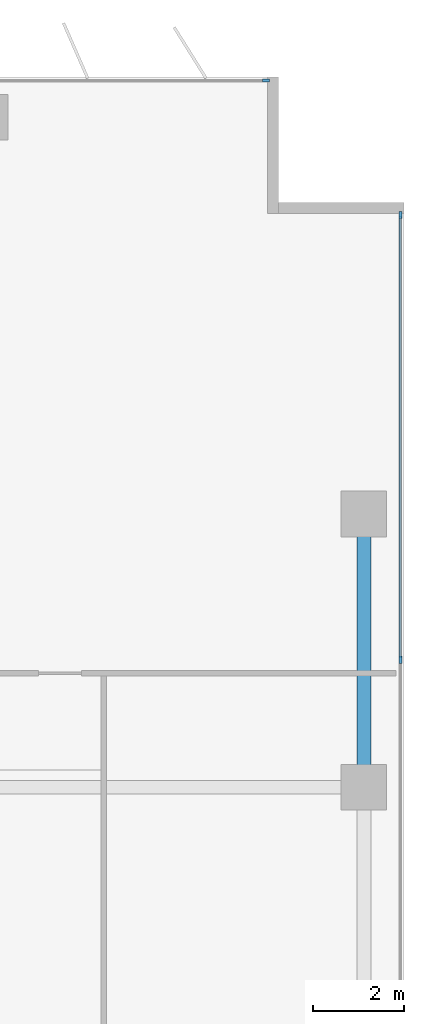
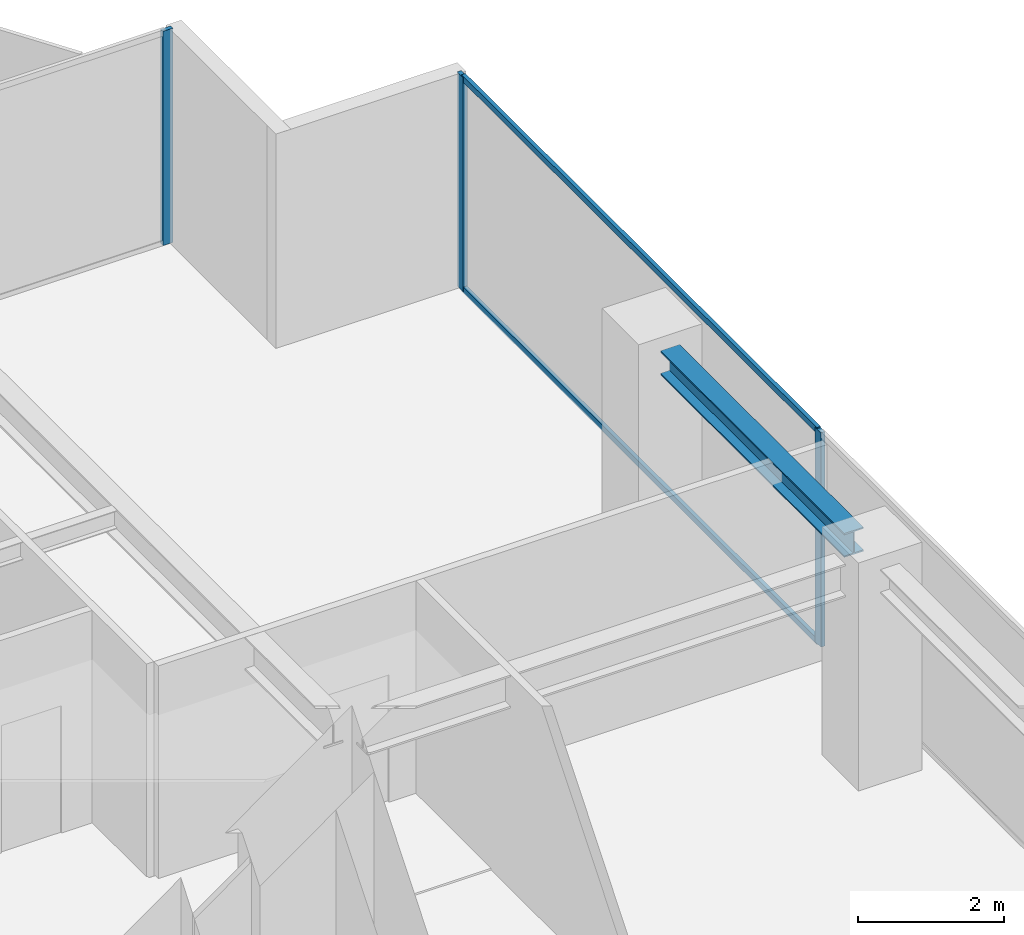
# One storey, part 13 of 22: 5 members, 1 beam, 2 elements without a shape of their own.
"""IFC4 building model written with IfcOpenShell, lengths in metres."""

from ifc_helpers import new_model, si_unit, direction, frame, origin, origin_2d, place, context, subcontext, project, spatial, rectangle, i_section, extrude, material, layer, layer_set, material_profile, profile_set, type_object, element, aggregate, save


model = new_model("IFC4")

# Units and contexts
model_context = context("Model", 3, precision=1e-05, world=origin(), true_north=direction((0.0, 1.0)))
body_context = subcontext(model_context, "Body", "Model", "MODEL_VIEW")
ifc_project = project(units=[si_unit("LENGTHUNIT", "METRE"), si_unit("AREAUNIT", "SQUARE_METRE"), si_unit("VOLUMEUNIT", "CUBIC_METRE"), si_unit("PLANEANGLEUNIT", "RADIAN"), si_unit("MASSUNIT", "GRAM", prefix="KILO")], contexts=[model_context])

# Site, building, storey
site_placement = place(None, origin())
site = spatial("IfcSite", under=ifc_project, at=site_placement, CompositionType="ELEMENT")
building_placement = place(site_placement, origin())
building = spatial("IfcBuilding", under=site, at=building_placement, Name="Putna Gate Headquarters", CompositionType="ELEMENT")
storey_placement = place(building_placement, frame((0.0, 0.0, 155.60009765625)))
storey = spatial("IfcBuildingStorey", under=building, at=storey_placement, Name="L38", CompositionType="ELEMENT", Elevation=155.60009765625)

# Beam
ifc_material_1 = material(Name="Steel S355J2", Category="steel")
ifc_material_profile_1 = material_profile(ifc_material_1, i_section(OverallWidth=0.300048828125, OverallDepth=0.39990234375, WebThickness=0.013427734375, FlangeThickness=0.02392578125, at=origin_2d()), Name="Steel S355J2")
ifc_profile_set_1 = profile_set([ifc_material_profile_1], Name="Steel S355J2")
beam_type = type_object("IfcBeamType", Name="BM-SPAN-Z3-HEB400", PredefinedType="SPANDREL", material=ifc_profile_set_1)
beam_placement = place(storey_placement, frame((73.320068359375, 33.488037109375, 3.371826171875), z_axis=(0.0, 1.0, 0.0), x_axis=(-1.0, 0.0, 0.0)))
element("IfcBeam", 1, at=beam_placement, inside=storey, type_object=beam_type, Name="L38 E End Spandrel 3", PredefinedType="SPANDREL", context=body_context, shape_type="SweptSolid", body=[
    extrude(i_section(OverallWidth=0.300048828125, OverallDepth=0.39990234375, WebThickness=0.013427734375, FlangeThickness=0.02392578125, at=origin_2d()), origin(), (0.0, 0.0, 1.0), 5.02392578125),
])

# Curtain wall, member
ifc_material_2 = material(Name="Anodised bronze aluminium curtain wall", Category="aluminium")
ifc_layer = layer(ifc_material_2, 0.159912109375)
ifc_layer_set = layer_set([ifc_layer], Name="Anodised bronze aluminium curtain wall")
curtain_wall_type = type_object("IfcCurtainWallType", Name="CW-SYS-Z3", PredefinedType="USERDEFINED", material=ifc_layer_set)
curtain_wall_1_placement = place(storey_placement, origin())
curtain_wall_1 = element("IfcCurtainWall", 2, at=curtain_wall_1_placement, inside=storey, type_object=curtain_wall_type, Name="L38 North East Curtain Wall", ObjectType="STICK CURTAIN WALL", PredefinedType="USERDEFINED")
ifc_material_3 = material(Name="Anodised bronze aluminium EN AW-6060", Category="aluminium")
ifc_material_profile_2 = material_profile(ifc_material_3, rectangle(XDim=0.06494140625, YDim=0.159912109375, at=origin_2d()), Name="Anodised bronze aluminium EN AW-6060")
ifc_profile_set_2 = profile_set([ifc_material_profile_2], Name="Anodised bronze aluminium EN AW-6060")
member_type_1 = type_object("IfcMemberType", Name="MULL-CWM-3", PredefinedType="MULLION", material=ifc_profile_set_2)
member_1_placement = place(storey_placement, frame((71.16748046875, 48.52001953125, 0.0), z_axis=(0.0, 0.0, 1.0), x_axis=(0.0, 1.0, 0.0)))
member_1 = element("IfcMember", 3, at=member_1_placement, type_object=member_type_1, Name="CWS-3 mullion 3", PredefinedType="MULLION", context=body_context, shape_type="SweptSolid", body=[
    extrude(rectangle(XDim=0.06494140625, YDim=0.159912109375, at=origin_2d()), origin(), (0.0, 0.0, 1.0), 3.572021484375),
])
aggregate(curtain_wall_1, [member_1])

# Curtain wall, members
curtain_wall_2_placement = place(storey_placement, origin())
curtain_wall_2 = element("IfcCurtainWall", 4, at=curtain_wall_2_placement, inside=storey, type_object=curtain_wall_type, Name="L38 East Curtain Wall", ObjectType="STICK CURTAIN WALL", PredefinedType="USERDEFINED")
member_2_placement = place(storey_placement, frame((74.1201171875, 35.800048828125, 0.0), z_axis=(0.0, 0.0, 1.0), x_axis=(-1.0, 0.0, 0.0)))
member_2 = element("IfcMember", 5, at=member_2_placement, type_object=member_type_1, Name="CWS-3 mullion 4", PredefinedType="MULLION", context=body_context, shape_type="SweptSolid", body=[
    extrude(rectangle(XDim=0.06494140625, YDim=0.159912109375, at=origin_2d()), origin(), (0.0, 0.0, 1.0), 3.572021484375),
])
member_3_placement = place(storey_placement, frame((74.1201171875, 45.5673828125, 0.0), z_axis=(0.0, 0.0, 1.0), x_axis=(-1.0, 0.0, 0.0)))
member_3 = element("IfcMember", 6, at=member_3_placement, type_object=member_type_1, Name="CWS-3 mullion 5", PredefinedType="MULLION", context=body_context, shape_type="SweptSolid", body=[
    extrude(rectangle(XDim=0.06494140625, YDim=0.159912109375, at=origin_2d()), origin(), (0.0, 0.0, 1.0), 3.572021484375),
])
ifc_material_profile_3 = material_profile(ifc_material_3, rectangle(XDim=0.06005859375, YDim=0.10009765625, at=origin_2d()), Name="Anodised bronze aluminium EN AW-6060")
ifc_profile_set_3 = profile_set([ifc_material_profile_3], Name="Anodised bronze aluminium EN AW-6060")
member_type_2 = type_object("IfcMemberType", Name="TRAN-CWT-3", PredefinedType="USERDEFINED", material=ifc_profile_set_3)
member_4_placement = place(storey_placement, frame((74.1201171875, 35.83251953125, 0.02978515625), z_axis=(0.0, 1.0, 0.0), x_axis=(-1.0, 0.0, 0.0)))
member_4 = element("IfcMember", 7, at=member_4_placement, type_object=member_type_2, Name="CWS-3 transom 4.1", ObjectType="TRANSOM", PredefinedType="USERDEFINED", context=body_context, shape_type="SweptSolid", body=[
    extrude(rectangle(XDim=0.06005859375, YDim=0.10009765625, at=origin_2d()), origin(), (0.0, 0.0, 1.0), 9.702392578125),
])
member_5_placement = place(storey_placement, frame((74.1201171875, 35.83251953125, 3.5419921875), z_axis=(0.0, 1.0, 0.0), x_axis=(-1.0, 0.0, 0.0)))
member_5 = element("IfcMember", 8, at=member_5_placement, type_object=member_type_2, Name="CWS-3 transom 4.2", ObjectType="TRANSOM", PredefinedType="USERDEFINED", context=body_context, shape_type="SweptSolid", body=[
    extrude(rectangle(XDim=0.06005859375, YDim=0.10009765625, at=origin_2d()), origin(), (0.0, 0.0, 1.0), 9.702392578125),
])
aggregate(curtain_wall_2, [member_2, member_3, member_4, member_5])

save(model, "model.ifc")
